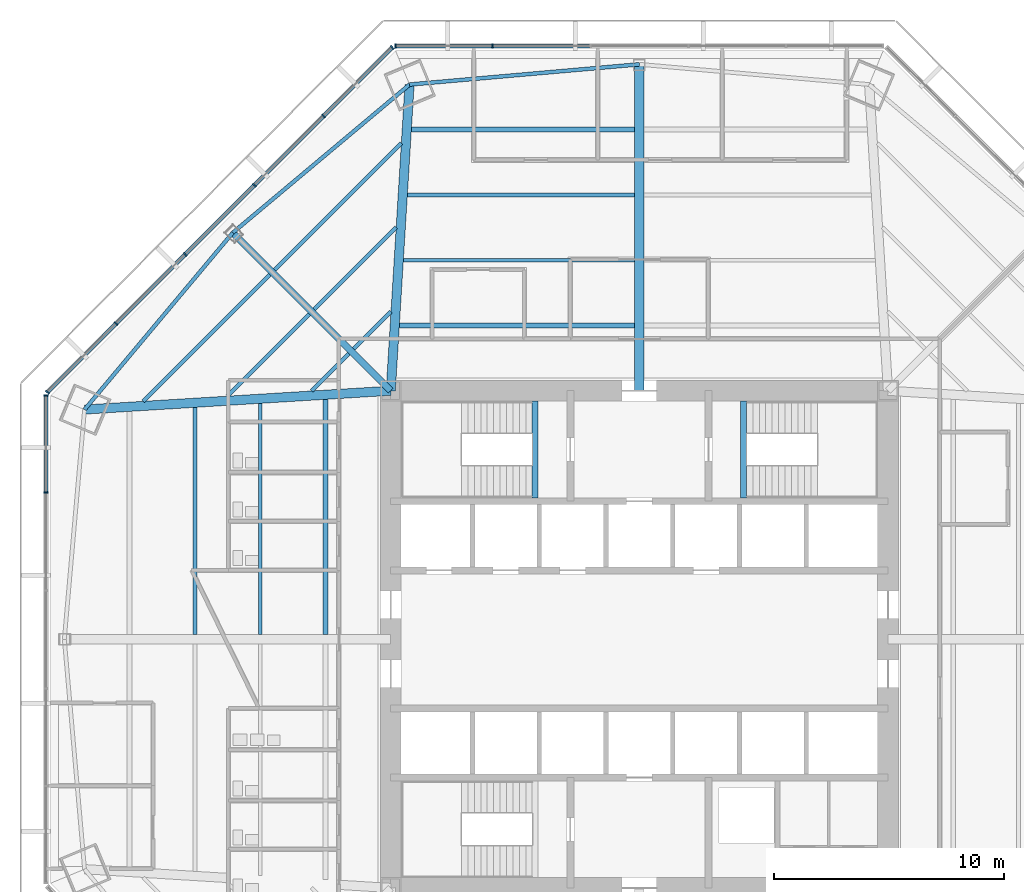
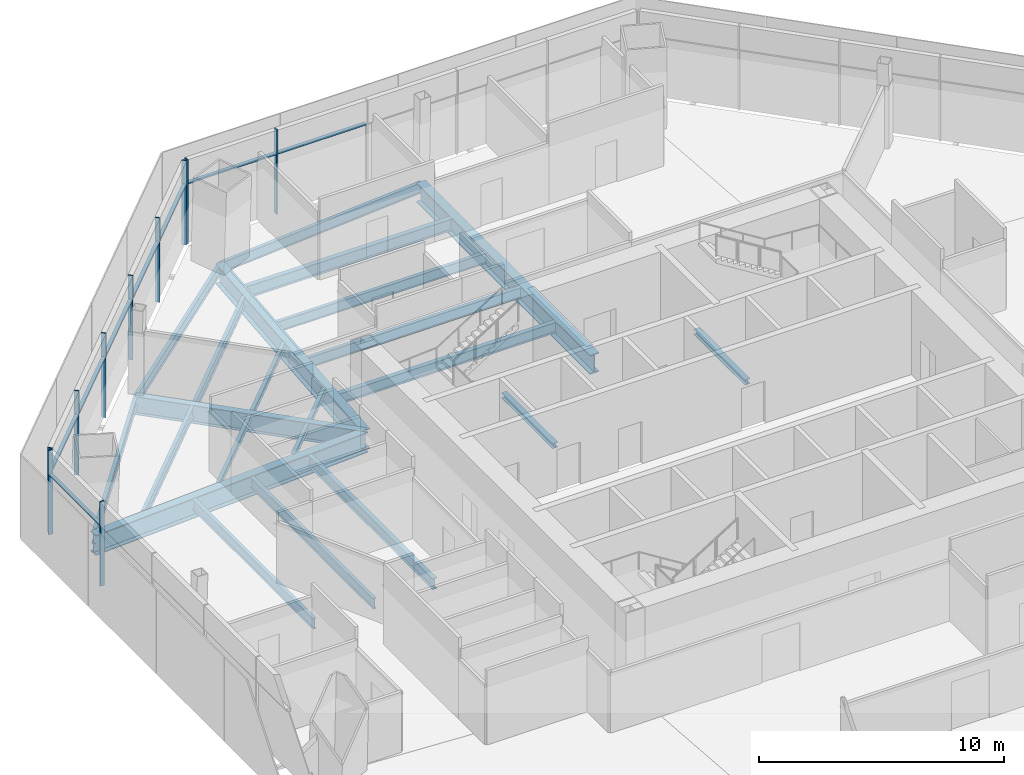
# One storey, part 6 of 16: 22 beams, 18 members, 3 elements without a shape of their own.
"""IFC4 building model written with IfcOpenShell, lengths in metres."""

from ifc_helpers import new_model, si_unit, direction, frame, origin, origin_2d, place, context, subcontext, project, spatial, rectangle, i_section, extrude, source, transform, mapped, material, material_profile, profile_set, type_object, type_shapes, element, aggregate, save


model = new_model("IFC4")

# Units and contexts
model_context = context("Model", 3, precision=1e-05, world=origin(), true_north=direction((0.0, 1.0)))
body_context = subcontext(model_context, "Body", "Model", "MODEL_VIEW")
ifc_project = project(units=[si_unit("LENGTHUNIT", "METRE"), si_unit("AREAUNIT", "SQUARE_METRE"), si_unit("VOLUMEUNIT", "CUBIC_METRE"), si_unit("PLANEANGLEUNIT", "RADIAN"), si_unit("MASSUNIT", "GRAM", prefix="KILO")], contexts=[model_context])

# Site, building, storey
site_placement = place(None, origin())
site = spatial("IfcSite", under=ifc_project, at=site_placement, CompositionType="ELEMENT")
building_placement = place(site_placement, origin())
building = spatial("IfcBuilding", under=site, at=building_placement, Name="Mashrafa Tower", CompositionType="ELEMENT")
storey_placement = place(building_placement, frame((0.0, 0.0, 79.199951171875)))
storey = spatial("IfcBuildingStorey", under=building, at=storey_placement, Name="L17", CompositionType="ELEMENT", Elevation=79.199951171875)

# Beams
ifc_material_1 = material(Name="Steel ASTM A992", Category="steel")
ifc_material_profile_1 = material_profile(ifc_material_1, i_section(OverallWidth=0.164794921875, OverallDepth=0.309814453125, WebThickness=0.005859375, FlangeThickness=0.009765625, FilletRadius=0.007568359375, at=origin_2d()), Name="W12X26")
ifc_profile_set_1 = profile_set([ifc_material_profile_1], Name="Steel ASTM A992")
beam_type_1 = type_object("IfcBeamType", Name="Beam W12X26", PredefinedType="BEAM", material=ifc_profile_set_1)
beam_1_placement = place(storey_placement, frame((-17.89794921875, 10.56494140625, -0.31982421875), z_axis=(0.707131035797, 0.707082525744, 0.0), x_axis=(-0.707082525744, 0.707131035797, 0.0)))
element("IfcBeam", 1, at=beam_1_placement, inside=storey, type_object=beam_type_1, Name="Floor beam L17 006", PredefinedType="BEAM", context=body_context, shape_type="SweptSolid", body=[
    extrude(i_section(OverallWidth=0.164794921875, OverallDepth=0.309814453125, WebThickness=0.005859375, FlangeThickness=0.009765625, FilletRadius=0.007568359375, at=origin_2d()), origin(), (0.0, 0.0, 1.0), 5.03271484375),
])
beam_2_placement = place(storey_placement, frame((-14.24169921875, 10.78955078125, -0.31982421875), z_axis=(0.707053440804, 0.707160117545, 0.0), x_axis=(-0.707160117545, 0.707053440804, 0.0)))
element("IfcBeam", 2, at=beam_2_placement, inside=storey, type_object=beam_type_1, Name="Floor beam L17 011", PredefinedType="BEAM", context=body_context, shape_type="SweptSolid", body=[
    extrude(i_section(OverallWidth=0.164794921875, OverallDepth=0.309814453125, WebThickness=0.005859375, FlangeThickness=0.009765625, FilletRadius=0.007568359375, at=origin_2d()), origin(), (0.0, 0.0, 1.0), 2.28857421875),
])
beam_3_placement = place(storey_placement, frame((-14.12353515625, 14.339111328125, -0.31982421875), z_axis=(0.707082525744, 0.707131035797, 0.0), x_axis=(-0.707131035797, 0.707082525744, 0.0)))
element("IfcBeam", 3, at=beam_3_placement, inside=storey, type_object=beam_type_1, Name="Floor beam L17 013", PredefinedType="BEAM", context=body_context, shape_type="SweptSolid", body=[
    extrude(i_section(OverallWidth=0.164794921875, OverallDepth=0.309814453125, WebThickness=0.005859375, FlangeThickness=0.009765625, FilletRadius=0.007568359375, at=origin_2d()), origin(), (0.0, 0.0, 1.0), 5.03271484375),
])
beam_4_placement = place(storey_placement, frame((-12.407958984375, 12.62353515625, -0.31982421875), z_axis=(0.707160117545, 0.707053440804, 0.0), x_axis=(-0.707053440804, 0.707160117545, 0.0)))
element("IfcBeam", 4, at=beam_4_placement, inside=storey, type_object=beam_type_1, Name="Floor beam L17 017", PredefinedType="BEAM", context=body_context, shape_type="SweptSolid", body=[
    extrude(i_section(OverallWidth=0.164794921875, OverallDepth=0.309814453125, WebThickness=0.005859375, FlangeThickness=0.009765625, FilletRadius=0.007568359375, at=origin_2d()), origin(), (0.0, 0.0, 1.0), 2.28857421875),
])
ifc_material_2 = material(Name="Steel ASTM A992", Category="steel")
ifc_material_profile_2 = material_profile(ifc_material_2, i_section(OverallWidth=0.165771484375, OverallDepth=0.5283203125, WebThickness=0.009765625, FlangeThickness=0.013671875, FilletRadius=0.012939453125, at=origin_2d()), Name="W21X50")
ifc_profile_set_2 = profile_set([ifc_material_profile_2], Name="Steel ASTM A992")
beam_type_2 = type_object("IfcBeamType", Name="Beam W21X50", PredefinedType="BEAM", material=ifc_profile_set_2)
beam_5_placement = place(storey_placement, frame((-21.553955078125, 10.34033203125, -0.42919921875), z_axis=(0.707106781187, 0.707106781187, 0.0), x_axis=(-0.707106781187, 0.707106781187, 0.0)))
element("IfcBeam", 5, at=beam_5_placement, inside=storey, type_object=beam_type_2, Name="Floor beam L17 003", PredefinedType="BEAM", context=body_context, shape_type="SweptSolid", body=[
    extrude(i_section(OverallWidth=0.165771484375, OverallDepth=0.5283203125, WebThickness=0.009765625, FlangeThickness=0.013671875, FilletRadius=0.012939453125, at=origin_2d()), origin(), (0.0, 0.0, 1.0), 7.77685546875),
])
beam_6_placement = place(storey_placement, frame((-19.307373046875, 0.212158203125, -0.42919921875), z_axis=(0.0, 1.0, 0.0), x_axis=(-1.0, 0.0, 0.0)))
element("IfcBeam", 6, at=beam_6_placement, inside=storey, type_object=beam_type_2, Name="Floor beam L17 005", PredefinedType="BEAM", context=body_context, shape_type="SweptSolid", body=[
    extrude(i_section(OverallWidth=0.165771484375, OverallDepth=0.5283203125, WebThickness=0.009765625, FlangeThickness=0.013671875, FilletRadius=0.012939453125, at=origin_2d()), origin(), (0.0, 0.0, 1.0), 9.8642578125),
])
beam_7_placement = place(storey_placement, frame((-16.4716796875, 0.212158203125, -0.42919921875), z_axis=(0.0, 1.0, 0.0), x_axis=(-1.0, 0.0, 0.0)))
element("IfcBeam", 7, at=beam_7_placement, inside=storey, type_object=beam_type_2, Name="Floor beam L17 008", PredefinedType="BEAM", context=body_context, shape_type="SweptSolid", body=[
    extrude(i_section(OverallWidth=0.165771484375, OverallDepth=0.5283203125, WebThickness=0.009765625, FlangeThickness=0.013671875, FilletRadius=0.012939453125, at=origin_2d()), origin(), (0.0, 0.0, 1.0), 10.038330078125),
])
beam_8_placement = place(storey_placement, frame((-15.83935546875, 16.054931640625, -0.42919921875), z_axis=(0.707106781187, 0.707106781187, 0.0), x_axis=(-0.707106781187, 0.707106781187, 0.0)))
element("IfcBeam", 8, at=beam_8_placement, inside=storey, type_object=beam_type_2, Name="Floor beam L17 010", PredefinedType="BEAM", context=body_context, shape_type="SweptSolid", body=[
    extrude(i_section(OverallWidth=0.165771484375, OverallDepth=0.5283203125, WebThickness=0.009765625, FlangeThickness=0.013671875, FilletRadius=0.012939453125, at=origin_2d()), origin(), (0.0, 0.0, 1.0), 7.77685546875),
])
beam_9_placement = place(storey_placement, frame((-10.25048828125, 16.4716796875, -0.42919921875), z_axis=(1.0, 0.0, 0.0), x_axis=(0.0, 1.0, 0.0)))
element("IfcBeam", 9, at=beam_9_placement, inside=storey, type_object=beam_type_2, Name="Floor beam L17 020", PredefinedType="BEAM", context=body_context, shape_type="SweptSolid", body=[
    extrude(i_section(OverallWidth=0.165771484375, OverallDepth=0.5283203125, WebThickness=0.009765625, FlangeThickness=0.013671875, FilletRadius=0.012939453125, at=origin_2d()), origin(), (0.0, 0.0, 1.0), 10.038330078125),
])
beam_10_placement = place(storey_placement, frame((-10.076416015625, 19.307373046875, -0.42919921875), z_axis=(1.0, 0.0, 0.0), x_axis=(0.0, 1.0, 0.0)))
element("IfcBeam", 10, at=beam_10_placement, inside=storey, type_object=beam_type_2, Name="Floor beam L17 022", PredefinedType="BEAM", context=body_context, shape_type="SweptSolid", body=[
    extrude(i_section(OverallWidth=0.165771484375, OverallDepth=0.5283203125, WebThickness=0.009765625, FlangeThickness=0.013671875, FilletRadius=0.012939453125, at=origin_2d()), origin(), (0.0, 0.0, 1.0), 9.8642578125),
])
for number, where, z_axis, x_axis, name in (
    (11, (-17.662841796875, 17.662841796875, -0.42919921875), (-0.642407861217, -0.766362929588, 0.0), (0.766362929588, -0.642407861217, 0.0), "Spandrel beam L17 077"),
    (12, (-9.98291015625, 24.1005859375, -0.42919921875), (-0.766362929588, -0.642407861217, 0.0), (0.642407861217, -0.766362929588, 0.0), "Spandrel beam L17 079"),
):
    element("IfcBeam", number, at=place(storey_placement, frame(where, z_axis=z_axis, x_axis=x_axis)), inside=storey, type_object=beam_type_2, Name=name, PredefinedType="BEAM", context=body_context, shape_type="SweptSolid", body=[
        extrude(i_section(OverallWidth=0.165771484375, OverallDepth=0.5283203125, WebThickness=0.009765625, FlangeThickness=0.013671875, FilletRadius=0.012939453125, at=origin_2d()), origin(), (0.0, 0.0, 1.0), 10.021240234375),
    ])
beam_11_placement = place(storey_placement, frame((0.0, 24.97900390625, -0.42919921875), z_axis=(-0.996151025151, -0.087653494461, 0.0), x_axis=(0.087653494461, -0.996151025151, 0.0)))
element("IfcBeam", 13, at=beam_11_placement, inside=storey, type_object=beam_type_2, Name="Spandrel beam L17 081", PredefinedType="BEAM", context=body_context, shape_type="SweptSolid", body=[
    extrude(i_section(OverallWidth=0.165771484375, OverallDepth=0.5283203125, WebThickness=0.009765625, FlangeThickness=0.013671875, FilletRadius=0.012939453125, at=origin_2d()), origin(), (0.0, 0.0, 1.0), 10.021484375),
])
ifc_material_3 = material(Name="Steel ASTM A992", Category="steel")
ifc_material_profile_3 = material_profile(ifc_material_3, i_section(OverallWidth=0.209228515625, OverallDepth=0.533447265625, WebThickness=0.01025390625, FlangeThickness=0.015625, FilletRadius=0.012939453125, at=origin_2d()), Name="W21X62")
ifc_profile_set_3 = profile_set([ifc_material_profile_3], Name="Steel ASTM A992")
beam_type_3 = type_object("IfcBeamType", Name="Beam W21X62", PredefinedType="BEAM", material=ifc_profile_set_3)
for number, where, z_axis, x_axis, name in (
    (14, (-13.6357421875, 0.212158203125, -0.431640625), (0.0, 1.0, 0.0), (-1.0, 0.0, 0.0), "Floor beam L17 015"),
    (15, (-10.4248046875, 13.6357421875, -0.431640625), (1.0, 0.0, 0.0), (0.0, 1.0, 0.0), "Floor beam L17 018"),
):
    element("IfcBeam", number, at=place(storey_placement, frame(where, z_axis=z_axis, x_axis=x_axis)), inside=storey, type_object=beam_type_3, Name=name, PredefinedType="BEAM", context=body_context, shape_type="SweptSolid", body=[
        extrude(i_section(OverallWidth=0.209228515625, OverallDepth=0.533447265625, WebThickness=0.01025390625, FlangeThickness=0.015625, FilletRadius=0.012939453125, at=origin_2d()), origin(), (0.0, 0.0, 1.0), 10.212646484375),
    ])
ifc_material_4 = material(Name="Steel ASTM A992", Category="steel")
ifc_material_profile_4 = material_profile(ifc_material_4, i_section(OverallWidth=0.227783203125, OverallDepth=0.60205078125, WebThickness=0.010498046875, FlangeThickness=0.014892578125, FilletRadius=0.012939453125, at=origin_2d()), Name="W24X68")
ifc_profile_set_4 = profile_set([ifc_material_profile_4], Name="Steel ASTM A992")
beam_type_4 = type_object("IfcBeamType", Name="Beam W24X68", PredefinedType="BEAM", material=ifc_profile_set_4)
beam_12_placement = place(storey_placement, frame((-9.902099609375, 22.14306640625, -0.4658203125), z_axis=(1.0, 0.0, 0.0), x_axis=(0.0, 1.0, 0.0)))
element("IfcBeam", 16, at=beam_12_placement, inside=storey, type_object=beam_type_4, Name="Floor beam L17 024", PredefinedType="BEAM", context=body_context, shape_type="SweptSolid", body=[
    extrude(i_section(OverallWidth=0.227783203125, OverallDepth=0.60205078125, WebThickness=0.010498046875, FlangeThickness=0.014892578125, FilletRadius=0.012939453125, at=origin_2d()), origin(), (0.0, 0.0, 1.0), 9.68994140625),
])
ifc_material_5 = material(Name="Steel ASTM A992", Category="steel")
ifc_material_profile_5 = material_profile(ifc_material_5, i_section(OverallWidth=0.3046875, OverallDepth=0.911865234375, WebThickness=0.015869140625, FlangeThickness=0.02392578125, FilletRadius=0.01904296875, at=origin_2d()), Name="W36X150")
ifc_profile_set_5 = profile_set([ifc_material_profile_5], Name="Steel ASTM A992")
beam_type_5 = type_object("IfcBeamType", Name="Beam W36X150", PredefinedType="BEAM", material=ifc_profile_set_5)
beam_13_placement = place(storey_placement, frame((-10.800048828125, 10.800048828125, -0.620849609375), z_axis=(-0.707106781187, 0.707106781187, 0.0), x_axis=(-0.707106781187, -0.707106781187, 0.0)))
element("IfcBeam", 17, at=beam_13_placement, inside=storey, type_object=beam_type_5, Name="Radial girder L17 062", PredefinedType="BEAM", context=body_context, shape_type="SweptSolid", body=[
    extrude(i_section(OverallWidth=0.3046875, OverallDepth=0.911865234375, WebThickness=0.015869140625, FlangeThickness=0.02392578125, FilletRadius=0.01904296875, at=origin_2d()), origin(), (0.0, 0.0, 1.0), 9.70556640625),
])
ifc_material_6 = material(Name="Steel ASTM A992", Category="steel")
ifc_material_profile_6 = material_profile(ifc_material_6, i_section(OverallWidth=0.424072265625, OverallDepth=0.960205078125, WebThickness=0.028564453125, FlangeThickness=0.051025390625, FilletRadius=0.02001953125, at=origin_2d()), Name="W36X361")
ifc_profile_set_6 = profile_set([ifc_material_profile_6], Name="Steel ASTM A992")
beam_type_6 = type_object("IfcBeamType", Name="Beam W36X361", PredefinedType="BEAM", material=ifc_profile_set_6)
beam_14_placement = place(storey_placement, frame((0.0, 10.800048828125, -0.64501953125), z_axis=(0.0, 1.0, 0.0), x_axis=(-1.0, 0.0, 0.0)))
element("IfcBeam", 18, at=beam_14_placement, inside=storey, type_object=beam_type_6, Name="Radial girder L17 065", PredefinedType="BEAM", context=body_context, shape_type="SweptSolid", body=[
    extrude(i_section(OverallWidth=0.424072265625, OverallDepth=0.960205078125, WebThickness=0.028564453125, FlangeThickness=0.051025390625, FilletRadius=0.02001953125, at=origin_2d()), origin(), (0.0, 0.0, 1.0), 14.178955078125),
])
ifc_material_7 = material(Name="Steel ASTM A992", Category="steel")
ifc_material_profile_7 = material_profile(ifc_material_7, i_section(OverallWidth=0.4013671875, OverallDepth=1.010986328125, WebThickness=0.023681640625, FlangeThickness=0.0419921875, FilletRadius=0.02001953125, at=origin_2d()), Name="W40X297")
ifc_profile_set_7 = profile_set([ifc_material_profile_7], Name="Steel ASTM A992")
beam_type_7 = type_object("IfcBeamType", Name="Beam W40X297", PredefinedType="BEAM", material=ifc_profile_set_7)
for number, where, z_axis, x_axis, name in (
    (19, (-10.800048828125, 10.800048828125, -0.67041015625), (-0.998118102867, -0.061320899618, 0.0), (0.061320899618, -0.998118102867, 0.0), "Radial girder L17 061"),
    (20, (-10.800048828125, 10.800048828125, -0.67041015625), (0.061320899618, 0.998118102867, 0.0), (-0.998118102867, 0.061320899618, 0.0), "Radial girder L17 063"),
):
    element("IfcBeam", number, at=place(storey_placement, frame(where, z_axis=z_axis, x_axis=x_axis)), inside=storey, type_object=beam_type_7, Name=name, PredefinedType="BEAM", context=body_context, shape_type="SweptSolid", body=[
        extrude(i_section(OverallWidth=0.4013671875, OverallDepth=1.010986328125, WebThickness=0.023681640625, FlangeThickness=0.0419921875, FilletRadius=0.02001953125, at=origin_2d()), origin(), (0.0, 0.0, 1.0), 13.32568359375),
    ])
ifc_material_8 = material(Name="Steel ASTM A992", Category="steel")
ifc_material_profile_8 = material_profile(ifc_material_8, i_section(OverallWidth=0.25390625, OverallDepth=0.25390625, WebThickness=0.008544921875, FlangeThickness=0.01416015625, FilletRadius=0.010009765625, at=origin_2d()), Name="W10X49")
ifc_profile_set_8 = profile_set([ifc_material_profile_8], Name="Steel ASTM A992")
beam_type_8 = type_object("IfcBeamType", Name="Hoistway beam W10X49", PredefinedType="BEAM", material=ifc_profile_set_8)
for number, where, z_axis, x_axis, name in (
    (21, (-4.530029296875, 6.14990234375, -0.326904296875), (0.0, 1.0, 0.0), (-1.0, 0.0, 0.0), "Stair S1 landing beam L17"),
    (22, (4.530029296875, 6.14990234375, -0.326904296875), (0.0, 1.0, 0.0), (-1.0, 0.0, 0.0), "Stair S2 landing beam L17"),
):
    element("IfcBeam", number, at=place(storey_placement, frame(where, z_axis=z_axis, x_axis=x_axis)), inside=storey, type_object=beam_type_8, Name=name, PredefinedType="BEAM", context=body_context, shape_type="SweptSolid", body=[
        extrude(i_section(OverallWidth=0.25390625, OverallDepth=0.25390625, WebThickness=0.008544921875, FlangeThickness=0.01416015625, FilletRadius=0.010009765625, at=origin_2d()), origin(), (0.0, 0.0, 1.0), 4.2001953125),
    ])

# Curtain wall, members
ifc_material_9 = material(Name="Unitised aluminium curtain wall", Category="aluminium")
curtain_wall_type = type_object("IfcCurtainWallType", Name="Office curtain wall, zone 1 CW-A 200 deep", PredefinedType="NOTDEFINED", material=ifc_material_9)
curtain_wall_1_placement = place(storey_placement, origin())
curtain_wall_1 = element("IfcCurtainWall", 23, at=curtain_wall_1_placement, inside=storey, type_object=curtain_wall_type, Name="Office curtain wall, zone 1 L17 north", PredefinedType="NOTDEFINED")
ifc_material_10 = material(Name="Extruded aluminium mullion", Category="aluminium")
ifc_material_profile_9 = material_profile(ifc_material_10, rectangle(XDim=0.199951171875, YDim=0.06494140625, at=origin_2d()), Name="Mullion 65x200")
ifc_profile_set_9 = profile_set([ifc_material_profile_9], Name="Extruded aluminium mullion")
member_type_1 = type_object("IfcMemberType", Name="Mullion CW-A 65 x 200", PredefinedType="MULLION", material=ifc_profile_set_9)
shared_shape_1 = source(origin(), body_context, "Body", "SweptSolid", [
    extrude(rectangle(XDim=0.199951171875, YDim=0.06494140625, at=origin_2d()), origin(), (0.0, 0.0, 1.0), 4.199951171875),
])
type_shapes(member_type_1, [shared_shape_1])
member_1_placement = place(storey_placement, frame((-6.374755859375, 25.774169921875, 0.0), z_axis=(0.0, 0.0, 1.0), x_axis=(0.0, -1.0, 0.0)))
member_1 = element("IfcMember", 24, at=member_1_placement, type_object=member_type_1, Name="CW-A mullion 5", PredefinedType="MULLION", context=body_context, shape_type="MappedRepresentation", body=[
    mapped(shared_shape_1, transform((0.0, 0.0, 0.0))),
])
member_2_placement = place(storey_placement, frame((-10.592041015625, 25.774169921875, 0.0), z_axis=(0.0, 0.0, 1.0), x_axis=(0.0, -1.0, 0.0)))
member_2 = element("IfcMember", 25, at=member_2_placement, type_object=member_type_1, Name="CW-A mullion 6", PredefinedType="MULLION", context=body_context, shape_type="MappedRepresentation", body=[
    mapped(shared_shape_1, transform((0.0, 0.0, 0.0))),
])

curtain_wall_2_placement = place(storey_placement, origin())
curtain_wall_2 = element("IfcCurtainWall", 26, at=curtain_wall_2_placement, inside=storey, type_object=curtain_wall_type, Name="Office curtain wall, zone 1 L17 north-west", PredefinedType="NOTDEFINED")
member_3_placement = place(storey_placement, frame((-10.7353515625, 25.71484375, 0.0), z_axis=(0.0, 0.0, 1.0), x_axis=(0.707106781187, -0.707106781187, 0.0)))
member_3 = element("IfcMember", 27, at=member_3_placement, type_object=member_type_1, Name="CW-A mullion 1", PredefinedType="MULLION", context=body_context, shape_type="MappedRepresentation", body=[
    mapped(shared_shape_1, transform((0.0, 0.0, 0.0))),
])
member_4_placement = place(storey_placement, frame((-13.717529296875, 22.73291015625, 0.0), z_axis=(0.0, 0.0, 1.0), x_axis=(0.707106781187, -0.707106781187, 0.0)))
member_4 = element("IfcMember", 28, at=member_4_placement, type_object=member_type_1, Name="CW-A mullion 2", PredefinedType="MULLION", context=body_context, shape_type="MappedRepresentation", body=[
    mapped(shared_shape_1, transform((0.0, 0.0, 0.0))),
])
member_5_placement = place(storey_placement, frame((-16.72265625, 19.727783203125, 0.0), z_axis=(0.0, 0.0, 1.0), x_axis=(0.707106781187, -0.707106781187, 0.0)))
member_5 = element("IfcMember", 29, at=member_5_placement, type_object=member_type_1, Name="CW-A mullion 3", PredefinedType="MULLION", context=body_context, shape_type="MappedRepresentation", body=[
    mapped(shared_shape_1, transform((0.0, 0.0, 0.0))),
])
member_6_placement = place(storey_placement, frame((-19.727783203125, 16.72265625, 0.0), z_axis=(0.0, 0.0, 1.0), x_axis=(0.707106781187, -0.707106781187, 0.0)))
member_6 = element("IfcMember", 30, at=member_6_placement, type_object=member_type_1, Name="CW-A mullion 4", PredefinedType="MULLION", context=body_context, shape_type="MappedRepresentation", body=[
    mapped(shared_shape_1, transform((0.0, 0.0, 0.0))),
])
member_7_placement = place(storey_placement, frame((-22.73291015625, 13.717529296875, 0.0), z_axis=(0.0, 0.0, 1.0), x_axis=(0.707106781187, -0.707106781187, 0.0)))
member_7 = element("IfcMember", 31, at=member_7_placement, type_object=member_type_1, Name="CW-A mullion 5", PredefinedType="MULLION", context=body_context, shape_type="MappedRepresentation", body=[
    mapped(shared_shape_1, transform((0.0, 0.0, 0.0))),
])
member_8_placement = place(storey_placement, frame((-25.71484375, 10.7353515625, 0.0), z_axis=(0.0, 0.0, 1.0), x_axis=(0.707106781187, -0.707106781187, 0.0)))
member_8 = element("IfcMember", 32, at=member_8_placement, type_object=member_type_1, Name="CW-A mullion 6", PredefinedType="MULLION", context=body_context, shape_type="MappedRepresentation", body=[
    mapped(shared_shape_1, transform((0.0, 0.0, 0.0))),
])

curtain_wall_3_placement = place(storey_placement, origin())
curtain_wall_3 = element("IfcCurtainWall", 33, at=curtain_wall_3_placement, inside=storey, type_object=curtain_wall_type, Name="Office curtain wall, zone 1 L17 west", PredefinedType="NOTDEFINED")
member_9_placement = place(storey_placement, frame((-25.774169921875, 10.592041015625, 0.0), z_axis=(0.0, 0.0, 1.0), x_axis=(1.0, 0.0, 0.0)))
member_9 = element("IfcMember", 34, at=member_9_placement, type_object=member_type_1, Name="CW-A mullion 1", PredefinedType="MULLION", context=body_context, shape_type="MappedRepresentation", body=[
    mapped(shared_shape_1, transform((0.0, 0.0, 0.0))),
])
member_10_placement = place(storey_placement, frame((-25.774169921875, 6.374755859375, 0.0), z_axis=(0.0, 0.0, 1.0), x_axis=(1.0, 0.0, 0.0)))
member_10 = element("IfcMember", 35, at=member_10_placement, type_object=member_type_1, Name="CW-A mullion 2", PredefinedType="MULLION", context=body_context, shape_type="MappedRepresentation", body=[
    mapped(shared_shape_1, transform((0.0, 0.0, 0.0))),
])

# Member
ifc_material_11 = material(Name="Extruded aluminium transom", Category="aluminium")
ifc_material_profile_10 = material_profile(ifc_material_11, rectangle(XDim=0.159912109375, YDim=0.080078125, at=origin_2d()), Name="Transom 80x160")
ifc_profile_set_10 = profile_set([ifc_material_profile_10], Name="Extruded aluminium transom")
member_type_2 = type_object("IfcMemberType", Name="Transom CW-A 80 x 160", PredefinedType="MULLION", material=ifc_profile_set_10)
shared_shape_2 = source(origin(), body_context, "Body", "SweptSolid", [
    extrude(rectangle(XDim=0.159912109375, YDim=0.080078125, at=origin_2d()), origin(), (0.0, 0.0, 1.0), 4.15234375),
])
member_11_placement = place(storey_placement, frame((-6.4072265625, 25.774169921875, 3.0), z_axis=(-1.0, 0.0, 0.0), x_axis=(0.0, -1.0, 0.0)))
member_11 = element("IfcMember", 36, at=member_11_placement, type_object=member_type_2, Name="CW-A transom 5", PredefinedType="MULLION", context=body_context, shape_type="MappedRepresentation", body=[
    mapped(shared_shape_2, transform((0.0, 0.0, 0.0))),
])

member_12_placement = place(storey_placement, frame((-10.75830078125, 25.69189453125, 3.0), z_axis=(-0.707136178438, -0.707077382713, 0.0), x_axis=(0.707077382713, -0.707136178438, 0.0)))
member_12 = element("IfcMember", 37, at=member_12_placement, type_object=member_type_2, Name="CW-A transom 1", PredefinedType="MULLION", context=body_context, shape_type="MappedRepresentation", body=[
    mapped(shared_shape_2, transform((0.0, 0.0, 0.0))),
])

member_13_placement = place(storey_placement, frame((-22.755859375, 13.694580078125, 3.0), z_axis=(-0.707077382713, -0.707136178438, 0.0), x_axis=(0.707136178438, -0.707077382713, 0.0)))
member_13 = element("IfcMember", 38, at=member_13_placement, type_object=member_type_2, Name="CW-A transom 5", PredefinedType="MULLION", context=body_context, shape_type="MappedRepresentation", body=[
    mapped(shared_shape_2, transform((0.0, 0.0, 0.0))),
])

member_14_placement = place(storey_placement, frame((-25.774169921875, 10.5595703125, 3.0), z_axis=(0.0, -1.0, 0.0), x_axis=(1.0, 0.0, 0.0)))
member_14 = element("IfcMember", 39, at=member_14_placement, type_object=member_type_2, Name="CW-A transom 1", PredefinedType="MULLION", context=body_context, shape_type="MappedRepresentation", body=[
    mapped(shared_shape_2, transform((0.0, 0.0, 0.0))),
])

aggregate(curtain_wall_3, [member_9, member_10, member_14])

shared_shape_3 = source(origin(), body_context, "Body", "SweptSolid", [
    extrude(rectangle(XDim=0.159912109375, YDim=0.080078125, at=origin_2d()), origin(), (0.0, 0.0, 1.0), 4.184814453125),
])
member_15_placement = place(storey_placement, frame((-2.157470703125, 25.774169921875, 3.0), z_axis=(-1.0, 0.0, 0.0), x_axis=(0.0, -1.0, 0.0)))
member_15 = element("IfcMember", 40, at=member_15_placement, type_object=member_type_2, Name="CW-A transom 4", PredefinedType="MULLION", context=body_context, shape_type="MappedRepresentation", body=[
    mapped(shared_shape_3, transform((0.0, 0.0, 0.0))),
])

aggregate(curtain_wall_1, [member_1, member_2, member_15, member_11])

member_16_placement = place(storey_placement, frame((-13.740478515625, 22.709716796875, 3.0), z_axis=(-0.707135950453, -0.707077610716, 0.0), x_axis=(0.707077610716, -0.707135950453, 0.0)))
member_16 = element("IfcMember", 41, at=member_16_placement, type_object=member_type_2, Name="CW-A transom 2", PredefinedType="MULLION", context=body_context, shape_type="MappedRepresentation", body=[
    mapped(shared_shape_3, transform((0.0, 0.0, 0.0))),
])

member_17_placement = place(storey_placement, frame((-19.750732421875, 16.69970703125, 3.0), z_axis=(-0.707077610716, -0.707135950453, 0.0), x_axis=(0.707135950453, -0.707077610716, 0.0)))
member_17 = element("IfcMember", 42, at=member_17_placement, type_object=member_type_2, Name="CW-A transom 4", PredefinedType="MULLION", context=body_context, shape_type="MappedRepresentation", body=[
    mapped(shared_shape_3, transform((0.0, 0.0, 0.0))),
])

shared_shape_4 = source(origin(), body_context, "Body", "SweptSolid", [
    extrude(rectangle(XDim=0.159912109375, YDim=0.080078125, at=origin_2d()), origin(), (0.0, 0.0, 1.0), 4.18505859375),
])
type_shapes(member_type_2, [shared_shape_2, shared_shape_3, shared_shape_4])
member_18_placement = place(storey_placement, frame((-16.74560546875, 19.704833984375, 3.0), z_axis=(-0.707106781187, -0.707106781187, 0.0), x_axis=(0.707106781187, -0.707106781187, 0.0)))
member_18 = element("IfcMember", 43, at=member_18_placement, type_object=member_type_2, Name="CW-A transom 3", PredefinedType="MULLION", context=body_context, shape_type="MappedRepresentation", body=[
    mapped(shared_shape_4, transform((0.0, 0.0, 0.0))),
])

aggregate(curtain_wall_2, [member_3, member_4, member_5, member_6, member_7, member_8, member_12, member_16, member_18, member_17, member_13])

save(model, "model.ifc")
